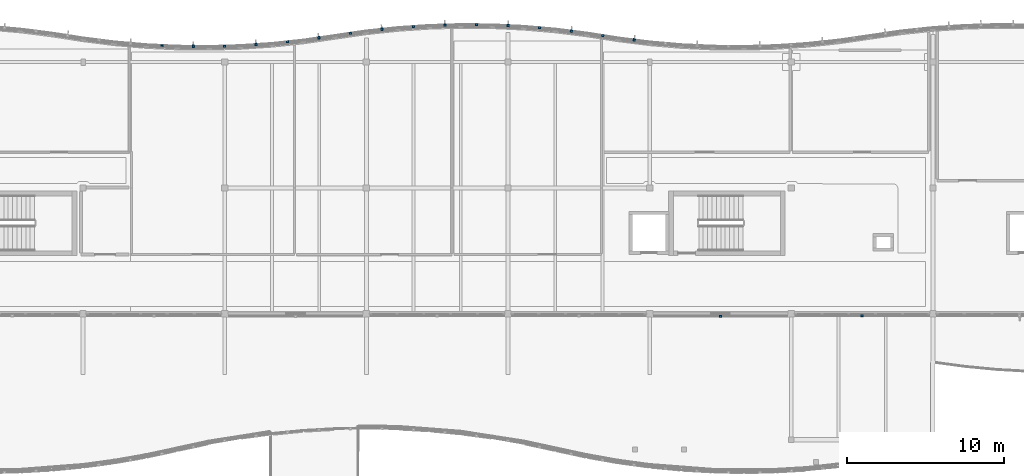
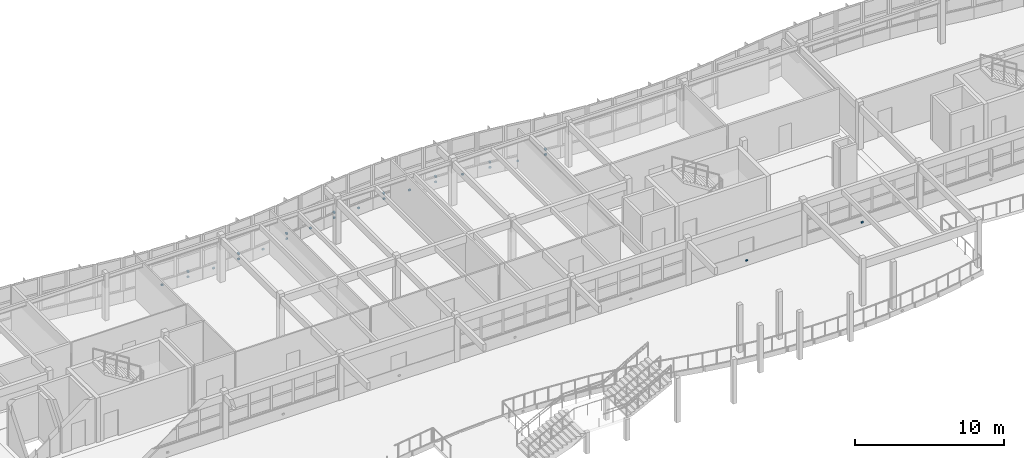
# One storey, part 50 of 63: 26 discrete accessories.
"""IFC4 building model written with IfcOpenShell, lengths in metres."""

from ifc_helpers import new_model, si_unit, direction, frame, origin, origin_2d, place, context, subcontext, project, spatial, rectangle, extrude, material, type_object, element, save


model = new_model("IFC4")

# Units and contexts
model_context = context("Model", 3, precision=1e-05, world=origin(), true_north=direction((0.0, 1.0)))
body_context = subcontext(model_context, "Body", "Model", "MODEL_VIEW")
ifc_project = project(units=[si_unit("LENGTHUNIT", "METRE"), si_unit("AREAUNIT", "SQUARE_METRE"), si_unit("VOLUMEUNIT", "CUBIC_METRE"), si_unit("PLANEANGLEUNIT", "RADIAN"), si_unit("MASSUNIT", "GRAM", prefix="KILO")], contexts=[model_context])

# Site, building, storey
site_placement = place(None, origin())
site = spatial("IfcSite", under=ifc_project, at=site_placement, CompositionType="ELEMENT")
building_placement = place(site_placement, origin())
building = spatial("IfcBuilding", under=site, at=building_placement, Name="Tonlespit Floodbar School", CompositionType="ELEMENT")
storey_placement = place(building_placement, frame((0.0, 0.0, 8.39990234375)))
storey = spatial("IfcBuildingStorey", under=building, at=storey_placement, Name="L02", CompositionType="ELEMENT", Elevation=8.39990234375)

# Discrete accessories
ifc_material = material(Name="Galvanised Steel", Category="steel")
discrete_accessory_type = type_object("IfcDiscreteAccessoryType", Name="Bracket_Facade_S355", PredefinedType="BRACKET", material=ifc_material)
for number, where, z_axis, x_axis, name in (
    (1, (67.00634765625, 121.05029296875, 0.35498046875), (0.0, 0.0, 1.0), (0.998842769234, -0.048094930587, 0.0), "L02 white band support bracket 0142"),
    (2, (69.001220703125, 120.99267578125, 0.35498046875), (0.0, 0.0, 1.0), (0.999953926969, -0.009599163462, 0.0), "L02 white band support bracket 0143"),
):
    element("IfcDiscreteAccessory", number, at=place(storey_placement, frame(where, z_axis=z_axis, x_axis=x_axis)), inside=storey, type_object=discrete_accessory_type, Name=name, PredefinedType="BRACKET", context=body_context, shape_type="SweptSolid", body=[
        extrude(rectangle(XDim=0.159912109375, YDim=0.1201171875, at=origin_2d()), origin(), (0.0, 0.0, 1.0), 0.1201171875),
    ])
discrete_accessory_1_placement = place(storey_placement, frame((69.001220703125, 121.002685546875, 0.7802734375), z_axis=(0.0, 0.0, 1.0), x_axis=(0.999953926969, -0.009599163462, 0.0)))
element("IfcDiscreteAccessory", 3, at=discrete_accessory_1_placement, inside=storey, type_object=discrete_accessory_type, Name="Solar fin support bracket 043", PredefinedType="BRACKET", context=body_context, shape_type="SweptSolid", body=[
    extrude(rectangle(XDim=0.1201171875, YDim=0.179931640625, at=origin_2d()), origin(), (0.0, 0.0, 1.0), 0.139892578125),
])
for number, where, z_axis, x_axis, name in (
    (4, (70.996337890625, 121.01171875, 0.35498046875), (0.0, 0.0, 1.0), (0.999584110869, 0.02883756748, 0.0), "L02 white band support bracket 0144"),
    (5, (72.9912109375, 121.10791015625, 0.35498046875), (0.0, 0.0, 1.0), (0.997729639049, 0.067346621018, 0.0), "L02 white band support bracket 0145"),
):
    element("IfcDiscreteAccessory", number, at=place(storey_placement, frame(where, z_axis=z_axis, x_axis=x_axis)), inside=storey, type_object=discrete_accessory_type, Name=name, PredefinedType="BRACKET", context=body_context, shape_type="SweptSolid", body=[
        extrude(rectangle(XDim=0.159912109375, YDim=0.1201171875, at=origin_2d()), origin(), (0.0, 0.0, 1.0), 0.1201171875),
    ])
discrete_accessory_2_placement = place(storey_placement, frame((72.990478515625, 121.117919921875, 0.7802734375), z_axis=(0.0, 0.0, 1.0), x_axis=(0.997729639049, 0.067346621018, 0.0)))
element("IfcDiscreteAccessory", 6, at=discrete_accessory_2_placement, inside=storey, type_object=discrete_accessory_type, Name="Solar fin support bracket 044", PredefinedType="BRACKET", context=body_context, shape_type="SweptSolid", body=[
    extrude(rectangle(XDim=0.1201171875, YDim=0.179931640625, at=origin_2d()), origin(), (0.0, 0.0, 1.0), 0.139892578125),
])
for number, where, z_axis, x_axis, name in (
    (7, (74.986328125, 121.28125, 0.35498046875), (0.0, 0.0, 1.0), (0.99439234017, 0.105753835922, 0.0), "L02 white band support bracket 0146"),
    (8, (76.981201171875, 121.53271484375, 0.35498046875), (0.0, 0.0, 1.0), (0.989537627347, 0.144275029245, 0.0), "L02 white band support bracket 0147"),
):
    element("IfcDiscreteAccessory", number, at=place(storey_placement, frame(where, z_axis=z_axis, x_axis=x_axis)), inside=storey, type_object=discrete_accessory_type, Name=name, PredefinedType="BRACKET", context=body_context, shape_type="SweptSolid", body=[
        extrude(rectangle(XDim=0.159912109375, YDim=0.1201171875, at=origin_2d()), origin(), (0.0, 0.0, 1.0), 0.1201171875),
    ])
discrete_accessory_3_placement = place(storey_placement, frame((76.979736328125, 121.542724609375, 0.7802734375), z_axis=(0.0, 0.0, 1.0), x_axis=(0.989537627347, 0.144275029245, 0.0)))
element("IfcDiscreteAccessory", 9, at=discrete_accessory_3_placement, inside=storey, type_object=discrete_accessory_type, Name="Solar fin support bracket 045", PredefinedType="BRACKET", context=body_context, shape_type="SweptSolid", body=[
    extrude(rectangle(XDim=0.1201171875, YDim=0.179931640625, at=origin_2d()), origin(), (0.0, 0.0, 1.0), 0.139892578125),
])
for number, where, z_axis, x_axis, name in (
    (10, (78.981201171875, 121.824462890625, 0.35498046875), (0.0, 0.0, 1.0), (0.989537627347, 0.144275029245, 0.0), "L02 white band support bracket 0148"),
    (11, (80.986328125, 122.0771484375, 0.35498046875), (0.0, 0.0, 1.0), (0.99439234017, 0.105753835922, 0.0), "L02 white band support bracket 0149"),
):
    element("IfcDiscreteAccessory", number, at=place(storey_placement, frame(where, z_axis=z_axis, x_axis=x_axis)), inside=storey, type_object=discrete_accessory_type, Name=name, PredefinedType="BRACKET", context=body_context, shape_type="SweptSolid", body=[
        extrude(rectangle(XDim=0.159912109375, YDim=0.1201171875, at=origin_2d()), origin(), (0.0, 0.0, 1.0), 0.1201171875),
    ])
discrete_accessory_4_placement = place(storey_placement, frame((80.985107421875, 122.087158203125, 0.7802734375), z_axis=(0.0, 0.0, 1.0), x_axis=(0.99439234017, 0.105753835922, 0.0)))
element("IfcDiscreteAccessory", 12, at=discrete_accessory_4_placement, inside=storey, type_object=discrete_accessory_type, Name="Solar fin support bracket 046", PredefinedType="BRACKET", context=body_context, shape_type="SweptSolid", body=[
    extrude(rectangle(XDim=0.1201171875, YDim=0.179931640625, at=origin_2d()), origin(), (0.0, 0.0, 1.0), 0.139892578125),
])
for number, where, z_axis, x_axis, name in (
    (13, (82.9912109375, 122.25146484375, 0.35498046875), (0.0, 0.0, 1.0), (0.997729639049, 0.067346621018, 0.0), "L02 white band support bracket 0150"),
    (14, (84.996337890625, 122.34814453125, 0.35498046875), (0.0, 0.0, 1.0), (0.999584110869, 0.02883756748, 0.0), "L02 white band support bracket 0151"),
):
    element("IfcDiscreteAccessory", number, at=place(storey_placement, frame(where, z_axis=z_axis, x_axis=x_axis)), inside=storey, type_object=discrete_accessory_type, Name=name, PredefinedType="BRACKET", context=body_context, shape_type="SweptSolid", body=[
        extrude(rectangle(XDim=0.159912109375, YDim=0.1201171875, at=origin_2d()), origin(), (0.0, 0.0, 1.0), 0.1201171875),
    ])
discrete_accessory_5_placement = place(storey_placement, frame((84.99609375, 122.358154296875, 0.7802734375), z_axis=(0.0, 0.0, 1.0), x_axis=(0.999584110869, 0.02883756748, 0.0)))
element("IfcDiscreteAccessory", 15, at=discrete_accessory_5_placement, inside=storey, type_object=discrete_accessory_type, Name="Solar fin support bracket 047", PredefinedType="BRACKET", context=body_context, shape_type="SweptSolid", body=[
    extrude(rectangle(XDim=0.1201171875, YDim=0.179931640625, at=origin_2d()), origin(), (0.0, 0.0, 1.0), 0.139892578125),
])
for number, where, z_axis, x_axis, name in (
    (16, (87.001220703125, 122.367431640625, 0.35498046875), (0.0, 0.0, 1.0), (0.999953926969, -0.009599163462, 0.0), "L02 white band support bracket 0152"),
    (17, (89.00634765625, 122.3095703125, 0.35498046875), (0.0, 0.0, 1.0), (0.998842769234, -0.048094930587, 0.0), "L02 white band support bracket 0153"),
):
    element("IfcDiscreteAccessory", number, at=place(storey_placement, frame(where, z_axis=z_axis, x_axis=x_axis)), inside=storey, type_object=discrete_accessory_type, Name=name, PredefinedType="BRACKET", context=body_context, shape_type="SweptSolid", body=[
        extrude(rectangle(XDim=0.159912109375, YDim=0.1201171875, at=origin_2d()), origin(), (0.0, 0.0, 1.0), 0.1201171875),
    ])
discrete_accessory_6_placement = place(storey_placement, frame((89.006591796875, 122.319580078125, 0.7802734375), z_axis=(0.0, 0.0, 1.0), x_axis=(0.998842769234, -0.048094930587, 0.0)))
element("IfcDiscreteAccessory", 18, at=discrete_accessory_6_placement, inside=storey, type_object=discrete_accessory_type, Name="Solar fin support bracket 048", PredefinedType="BRACKET", context=body_context, shape_type="SweptSolid", body=[
    extrude(rectangle(XDim=0.1201171875, YDim=0.179931640625, at=origin_2d()), origin(), (0.0, 0.0, 1.0), 0.139892578125),
])
for number, where, z_axis, x_axis, name in (
    (19, (91.01123046875, 122.174072265625, 0.35498046875), (0.0, 0.0, 1.0), (0.996245486492, -0.086573267488, 0.0), "L02 white band support bracket 0154"),
    (20, (93.016357421875, 121.960693359375, 0.35498046875), (0.0, 0.0, 1.0), (0.99215533612, -0.125011155539, 0.0), "L02 white band support bracket 0155"),
):
    element("IfcDiscreteAccessory", number, at=place(storey_placement, frame(where, z_axis=z_axis, x_axis=x_axis)), inside=storey, type_object=discrete_accessory_type, Name=name, PredefinedType="BRACKET", context=body_context, shape_type="SweptSolid", body=[
        extrude(rectangle(XDim=0.159912109375, YDim=0.1201171875, at=origin_2d()), origin(), (0.0, 0.0, 1.0), 0.1201171875),
    ])
discrete_accessory_7_placement = place(storey_placement, frame((93.017578125, 121.970703125, 0.7802734375), z_axis=(0.0, 0.0, 1.0), x_axis=(0.99215533612, -0.125011155539, 0.0)))
element("IfcDiscreteAccessory", 21, at=discrete_accessory_7_placement, inside=storey, type_object=discrete_accessory_type, Name="Solar fin support bracket 049", PredefinedType="BRACKET", context=body_context, shape_type="SweptSolid", body=[
    extrude(rectangle(XDim=0.1201171875, YDim=0.179931640625, at=origin_2d()), origin(), (0.0, 0.0, 1.0), 0.139892578125),
])
for number, where, z_axis, x_axis, name in (
    (22, (95.02001953125, 121.678466796875, 0.35498046875), (0.0, 0.0, 1.0), (0.988094768361, -0.153846445322, 0.0), "L02 white band support bracket 0156"),
    (23, (97.016357421875, 121.397216796875, 0.35498046875), (0.0, 0.0, 1.0), (0.99215533612, -0.125011155539, 0.0), "L02 white band support bracket 0157"),
):
    element("IfcDiscreteAccessory", number, at=place(storey_placement, frame(where, z_axis=z_axis, x_axis=x_axis)), inside=storey, type_object=discrete_accessory_type, Name=name, PredefinedType="BRACKET", context=body_context, shape_type="SweptSolid", body=[
        extrude(rectangle(XDim=0.159912109375, YDim=0.1201171875, at=origin_2d()), origin(), (0.0, 0.0, 1.0), 0.1201171875),
    ])
discrete_accessory_8_placement = place(storey_placement, frame((97.017578125, 121.4072265625, 0.7802734375), z_axis=(0.0, 0.0, 1.0), x_axis=(0.99215533612, -0.125011155539, 0.0)))
element("IfcDiscreteAccessory", 24, at=discrete_accessory_8_placement, inside=storey, type_object=discrete_accessory_type, Name="Solar fin support bracket 050", PredefinedType="BRACKET", context=body_context, shape_type="SweptSolid", body=[
    extrude(rectangle(XDim=0.1201171875, YDim=0.179931640625, at=origin_2d()), origin(), (0.0, 0.0, 1.0), 0.139892578125),
])
for number, where, z_axis, x_axis, name in (
    (25, (111.5, 103.8701171875, 0.35498046875), (0.0, 0.0, 1.0), (-1.0, 0.0, 0.0), "L02 white band support bracket 0167"),
    (26, (102.5, 103.85009765625, 0.380126953125), (0.0, 0.0, 1.0), (-1.0, 0.0, 0.0), "L02 white band support bracket 0168"),
):
    element("IfcDiscreteAccessory", number, at=place(storey_placement, frame(where, z_axis=z_axis, x_axis=x_axis)), inside=storey, type_object=discrete_accessory_type, Name=name, PredefinedType="BRACKET", context=body_context, shape_type="SweptSolid", body=[
        extrude(rectangle(XDim=0.159912109375, YDim=0.1201171875, at=origin_2d()), origin(), (0.0, 0.0, 1.0), 0.1201171875),
    ])

save(model, "model.ifc")
